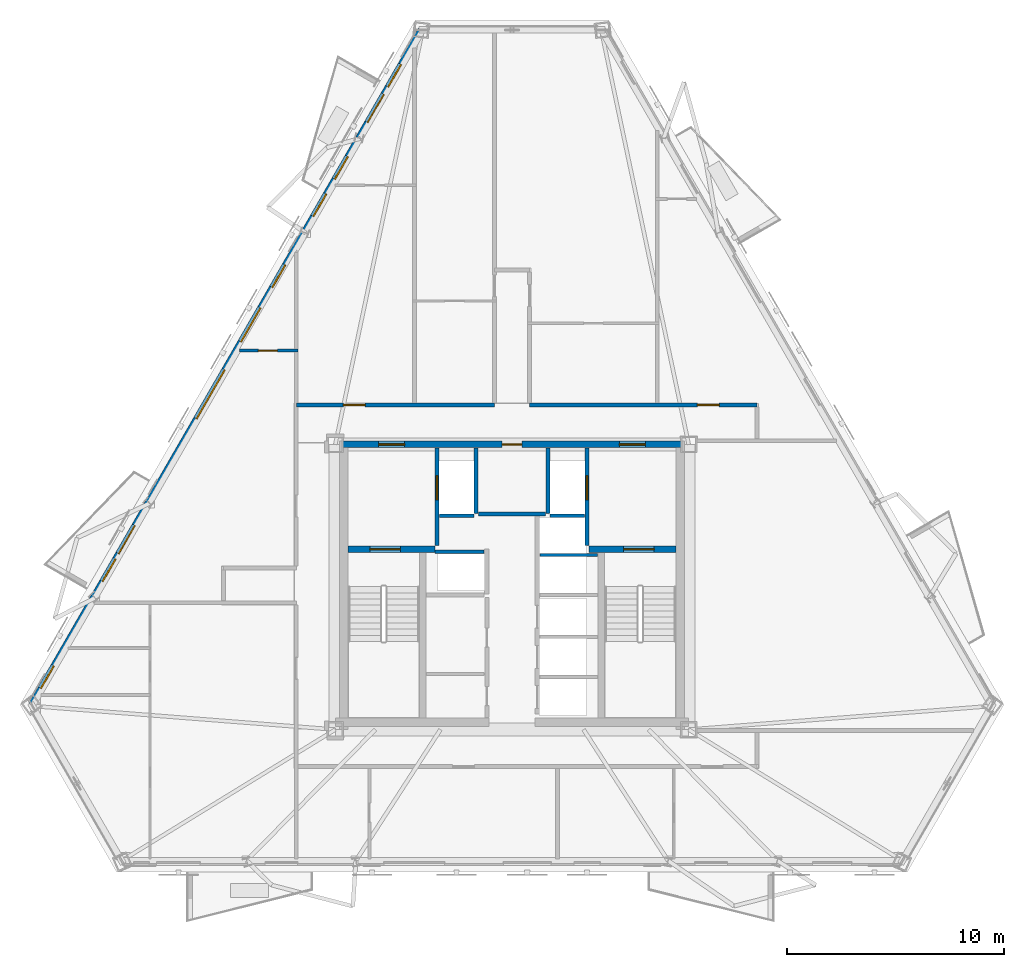
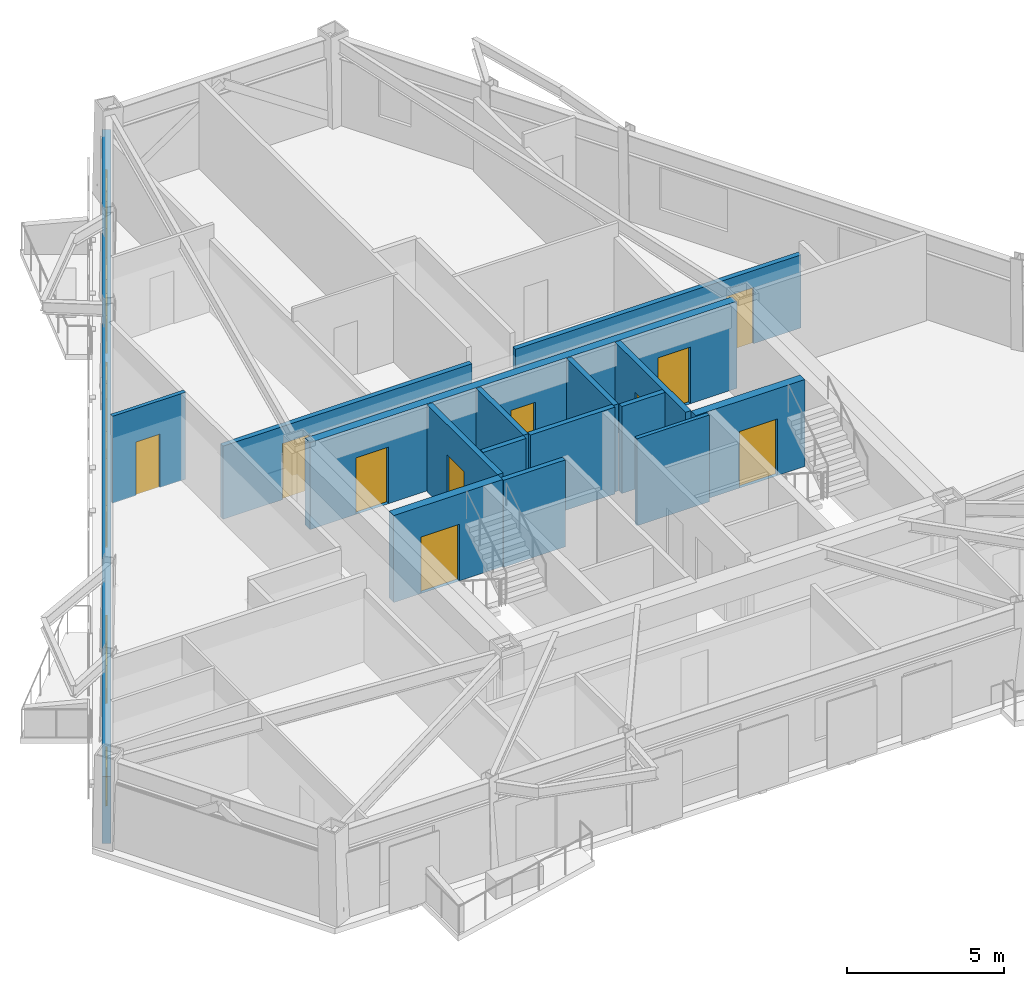
# One storey, part 4 of 9: 16 walls, 12 doors, 8 windows, 20 openings.
"""IFC4 building model written with IfcOpenShell, lengths in metres."""

from ifc_helpers import new_model, si_unit, direction, frame, frame_2d, origin, place, context, subcontext, project, spatial, rectangle, extrude, material, layer, layer_set, type_object, element, fill, save


model = new_model("IFC4")

# Units and contexts
model_context = context("Model", 3, precision=1e-05, world=origin(), true_north=direction((0.0, 1.0)))
body_context = subcontext(model_context, "Body", "Model", "MODEL_VIEW")
ifc_project = project(units=[si_unit("LENGTHUNIT", "METRE"), si_unit("AREAUNIT", "SQUARE_METRE"), si_unit("VOLUMEUNIT", "CUBIC_METRE"), si_unit("PLANEANGLEUNIT", "RADIAN"), si_unit("MASSUNIT", "GRAM", prefix="KILO")], contexts=[model_context])

# Site, building, storey
site_placement = place(None, origin())
site = spatial("IfcSite", under=ifc_project, at=site_placement, CompositionType="ELEMENT")
building_placement = place(site_placement, origin())
building = spatial("IfcBuilding", under=site, at=building_placement, Name="Oramaril Tower", CompositionType="ELEMENT")
storey_placement = place(building_placement, frame((0.0, 0.0, 174.60009765625)))
storey = spatial("IfcBuildingStorey", under=building, at=storey_placement, Name="L46", CompositionType="ELEMENT", Elevation=174.60009765625)

# Wall, openings, doors, windows
ifc_material_1 = material(Name="Warm Cream Limestone", Category="masonry")
ifc_layer_1 = layer(ifc_material_1, 0.2900390625)
ifc_layer_set_1 = layer_set([ifc_layer_1], Name="WT-EXT29")
wall_type_1 = type_object("IfcWallType", Name="WT-EXT29", PredefinedType="SOLIDWALL", material=ifc_layer_set_1)
wall_1_placement = place(storey_placement, frame((33.304931640625, 43.26611328125, 0.0), z_axis=(0.0, 0.0, 1.0), x_axis=(-0.499997724503, -0.866026717539, 0.0)))
wall_1 = element("IfcWall", 1, at=wall_1_placement, inside=storey, type_object=wall_type_1, Name="L46 Tower Limestone Facade Wall 6M", PredefinedType="SOLIDWALL", context=body_context, shape_type="SweptSolid", body=[
    extrude(rectangle(XDim=35.929931640625, YDim=0.2900390625, at=frame_2d((17.96484375, 0.0))), origin(), (0.0, 0.0, 1.0), 2.599853515625),
])
opening_1_placement = place(wall_1_placement, frame((3.429443359375, 0.0, 0.0)))
opening_1 = element("IfcOpeningElement", 2, at=opening_1_placement, cuts=wall_1, Name="Opening D-L46-BAL-NW1", PredefinedType="OPENING", context=body_context, shape_type="SweptSolid", body=[
    extrude(rectangle(XDim=1.5, YDim=2.199951171875, at=frame_2d((0.75, 1.10009765625))), frame((0.0, 0.14501953125, 0.0), z_axis=(0.0, -1.0, 0.0), x_axis=(1.0, 0.0, 0.0)), (0.0, 0.0, 1.0), 0.2900390625),
])
opening_2_placement = place(wall_1_placement, frame((26.395263671875, 0.0, 0.0)))
opening_2 = element("IfcOpeningElement", 3, at=opening_2_placement, cuts=wall_1, Name="Opening D-L46-BAL-NW2", PredefinedType="OPENING", context=body_context, shape_type="SweptSolid", body=[
    extrude(rectangle(XDim=1.5, YDim=2.199951171875, at=frame_2d((0.75, 1.10009765625))), frame((0.0, 0.14501953125, 0.0), z_axis=(0.0, -1.0, 0.0), x_axis=(1.0, 0.0, 0.0)), (0.0, 0.0, 1.0), 0.2900390625),
])
opening_3_placement = place(wall_1_placement, frame((33.87109375, 0.0, 0.85009765625)))
opening_3 = element("IfcOpeningElement", 4, at=opening_3_placement, cuts=wall_1, Name="Opening WN-09", PredefinedType="OPENING", context=body_context, shape_type="SweptSolid", body=[
    extrude(rectangle(XDim=1.199951171875, YDim=1.47998046875, at=frame_2d((0.60009765625, 0.739990234375))), frame((0.0, 0.14501953125, 0.0), z_axis=(0.0, -1.0, 0.0), x_axis=(1.0, 0.0, 0.0)), (0.0, 0.0, 1.0), 0.2900390625),
])
opening_4_placement = place(wall_1_placement, frame((18.11083984375, 0.0, 0.85009765625)))
opening_4 = element("IfcOpeningElement", 5, at=opening_4_placement, cuts=wall_1, Name="Opening WN-02", PredefinedType="OPENING", context=body_context, shape_type="SweptSolid", body=[
    extrude(rectangle(XDim=2.60009765625, YDim=1.639892578125, at=frame_2d((1.300048828125, 0.81982421875))), frame((0.0, 0.14501953125, 0.0), z_axis=(0.0, -1.0, 0.0), x_axis=(1.0, 0.0, 0.0)), (0.0, 0.0, 1.0), 0.2900390625),
])
opening_5_placement = place(wall_1_placement, frame((28.175537109375, 0.0, 0.85009765625)))
opening_5 = element("IfcOpeningElement", 6, at=opening_5_placement, cuts=wall_1, Name="Opening WN-09", PredefinedType="OPENING", context=body_context, shape_type="SweptSolid", body=[
    extrude(rectangle(XDim=1.199951171875, YDim=1.47998046875, at=frame_2d((0.60009765625, 0.739990234375))), frame((0.0, 0.14501953125, 0.0), z_axis=(0.0, -1.0, 0.0), x_axis=(1.0, 0.0, 0.0)), (0.0, 0.0, 1.0), 0.2900390625),
])
opening_6_placement = place(wall_1_placement, frame((12.518798828125, 0.0, 0.85009765625)))
opening_6 = element("IfcOpeningElement", 7, at=opening_6_placement, cuts=wall_1, Name="Opening WN-09", PredefinedType="OPENING", context=body_context, shape_type="SweptSolid", body=[
    extrude(rectangle(XDim=1.199951171875, YDim=1.47998046875, at=frame_2d((0.60009765625, 0.739990234375))), frame((0.0, 0.14501953125, 0.0), z_axis=(0.0, -1.0, 0.0), x_axis=(1.0, 0.0, 0.0)), (0.0, 0.0, 1.0), 0.2900390625),
])
opening_7_placement = place(wall_1_placement, frame((14.8076171875, 0.0, 0.85009765625)))
opening_7 = element("IfcOpeningElement", 8, at=opening_7_placement, cuts=wall_1, Name="Opening WN-06", PredefinedType="OPENING", context=body_context, shape_type="SweptSolid", body=[
    extrude(rectangle(XDim=1.800048828125, YDim=1.639892578125, at=frame_2d((0.89990234375, 0.81982421875))), frame((0.0, 0.14501953125, 0.0), z_axis=(0.0, -1.0, 0.0), x_axis=(1.0, 0.0, 0.0)), (0.0, 0.0, 1.0), 0.2900390625),
])
opening_8_placement = place(wall_1_placement, frame((8.7353515625, 0.0, 0.85009765625)))
opening_8 = element("IfcOpeningElement", 9, at=opening_8_placement, cuts=wall_1, Name="Opening WN-09", PredefinedType="OPENING", context=body_context, shape_type="SweptSolid", body=[
    extrude(rectangle(XDim=1.199951171875, YDim=1.47998046875, at=frame_2d((0.60009765625, 0.739990234375))), frame((0.0, 0.14501953125, 0.0), z_axis=(0.0, -1.0, 0.0), x_axis=(1.0, 0.0, 0.0)), (0.0, 0.0, 1.0), 0.2900390625),
])
opening_9_placement = place(wall_1_placement, frame((6.74853515625, 0.0, 0.85009765625)))
opening_9 = element("IfcOpeningElement", 10, at=opening_9_placement, cuts=wall_1, Name="Opening WN-09", PredefinedType="OPENING", context=body_context, shape_type="SweptSolid", body=[
    extrude(rectangle(XDim=1.199951171875, YDim=1.47998046875, at=frame_2d((0.60009765625, 0.739990234375))), frame((0.0, 0.14501953125, 0.0), z_axis=(0.0, -1.0, 0.0), x_axis=(1.0, 0.0, 0.0)), (0.0, 0.0, 1.0), 0.2900390625),
])
opening_10_placement = place(wall_1_placement, frame((1.837158203125, 0.0, 0.85009765625)))
opening_10 = element("IfcOpeningElement", 11, at=opening_10_placement, cuts=wall_1, Name="Opening WN-09", PredefinedType="OPENING", context=body_context, shape_type="SweptSolid", body=[
    extrude(rectangle(XDim=1.199951171875, YDim=1.47998046875, at=frame_2d((0.60009765625, 0.739990234375))), frame((0.0, 0.14501953125, 0.0), z_axis=(0.0, -1.0, 0.0), x_axis=(1.0, 0.0, 0.0)), (0.0, 0.0, 1.0), 0.2900390625),
])
ifc_material_2 = material(Name="Anodised Aluminium 6063-T6", Category="aluminium")
door_type_1 = type_object("IfcDoorType", Name="DT-BAL", OperationType="NOTDEFINED", PredefinedType="DOOR", material=ifc_material_2)
door_1_placement = place(opening_1_placement, origin())
door_1 = element("IfcDoor", 12, at=door_1_placement, inside=storey, type_object=door_type_1, Name="L46 Balcony Glazed Door L46-BAL-NW1", OperationType="SINGLE_SWING_LEFT", OverallHeight=2.199951171875, OverallWidth=1.5, PredefinedType="DOOR", context=body_context, shape_type="SweptSolid", body=[
    extrude(rectangle(XDim=1.5, YDim=2.199951171875, at=frame_2d((0.75, 1.10009765625))), frame((0.0, 0.02490234375, 0.0), z_axis=(0.0, -1.0, 0.0), x_axis=(1.0, 0.0, 0.0)), (0.0, 0.0, 1.0), 0.050048828125),
])
fill(opening_1, door_1)
door_2_placement = place(opening_2_placement, origin())
door_2 = element("IfcDoor", 13, at=door_2_placement, inside=storey, type_object=door_type_1, Name="L46 Balcony Glazed Door L46-BAL-NW2", OperationType="SINGLE_SWING_RIGHT", OverallHeight=2.199951171875, OverallWidth=1.5, PredefinedType="DOOR", context=body_context, shape_type="SweptSolid", body=[
    extrude(rectangle(XDim=1.5, YDim=2.199951171875, at=frame_2d((0.75, 1.10009765625))), frame((0.0, 0.02490234375, 0.0), z_axis=(0.0, -1.0, 0.0), x_axis=(1.0, 0.0, 0.0)), (0.0, 0.0, 1.0), 0.050048828125),
])
fill(opening_2, door_2)
ifc_material_3 = material(Name="Coastal Low-E Insulated Glass", Category="glass")
window_type_1 = type_object("IfcWindowType", Name="WNT-02", PartitioningType="SINGLE_PANEL", PredefinedType="WINDOW", material=ifc_material_3)
window_1_placement = place(opening_4_placement, origin())
window_1 = element("IfcWindow", 14, at=window_1_placement, inside=storey, type_object=window_type_1, Name="L46 Chicago Bay Window WN-02", OverallHeight=1.639892578125, OverallWidth=2.60009765625, PartitioningType="SINGLE_PANEL", PredefinedType="WINDOW", context=body_context, shape_type="SweptSolid", body=[
    extrude(rectangle(XDim=2.60009765625, YDim=1.639892578125, at=frame_2d((1.300048828125, 0.81982421875))), frame((0.0, 0.030029296875, 0.0), z_axis=(0.0, -1.0, 0.0), x_axis=(1.0, 0.0, 0.0)), (0.0, 0.0, 1.0), 0.06005859375),
])
fill(opening_4, window_1)
ifc_material_4 = material(Name="Coastal Low-E Insulated Glass", Category="glass")
window_type_2 = type_object("IfcWindowType", Name="WNT-06", PartitioningType="SINGLE_PANEL", PredefinedType="WINDOW", material=ifc_material_4)
window_2_placement = place(opening_7_placement, origin())
window_2 = element("IfcWindow", 15, at=window_2_placement, inside=storey, type_object=window_type_2, Name="L46 Chicago Bay Window WN-06", OverallHeight=1.639892578125, OverallWidth=1.800048828125, PartitioningType="SINGLE_PANEL", PredefinedType="WINDOW", context=body_context, shape_type="SweptSolid", body=[
    extrude(rectangle(XDim=1.800048828125, YDim=1.639892578125, at=frame_2d((0.89990234375, 0.81982421875))), frame((0.0, 0.030029296875, 0.0), z_axis=(0.0, -1.0, 0.0), x_axis=(1.0, 0.0, 0.0)), (0.0, 0.0, 1.0), 0.06005859375),
])
fill(opening_7, window_2)
ifc_material_5 = material(Name="Coastal Low-E Insulated Glass", Category="glass")
window_type_3 = type_object("IfcWindowType", Name="WNT-09", PartitioningType="SINGLE_PANEL", PredefinedType="WINDOW", material=ifc_material_5)
window_3_placement = place(opening_3_placement, origin())
window_3 = element("IfcWindow", 16, at=window_3_placement, inside=storey, type_object=window_type_3, Name="L46 Chicago Bay Window WN-09", OverallHeight=1.47998046875, OverallWidth=1.199951171875, PartitioningType="SINGLE_PANEL", PredefinedType="WINDOW", context=body_context, shape_type="SweptSolid", body=[
    extrude(rectangle(XDim=1.199951171875, YDim=1.47998046875, at=frame_2d((0.60009765625, 0.739990234375))), frame((0.0, 0.030029296875, 0.0), z_axis=(0.0, -1.0, 0.0), x_axis=(1.0, 0.0, 0.0)), (0.0, 0.0, 1.0), 0.06005859375),
])
fill(opening_3, window_3)
window_4_placement = place(opening_5_placement, origin())
window_4 = element("IfcWindow", 17, at=window_4_placement, inside=storey, type_object=window_type_3, Name="L46 Chicago Bay Window WN-09", OverallHeight=1.47998046875, OverallWidth=1.199951171875, PartitioningType="SINGLE_PANEL", PredefinedType="WINDOW", context=body_context, shape_type="SweptSolid", body=[
    extrude(rectangle(XDim=1.199951171875, YDim=1.47998046875, at=frame_2d((0.60009765625, 0.739990234375))), frame((0.0, 0.030029296875, 0.0), z_axis=(0.0, -1.0, 0.0), x_axis=(1.0, 0.0, 0.0)), (0.0, 0.0, 1.0), 0.06005859375),
])
fill(opening_5, window_4)
window_5_placement = place(opening_6_placement, origin())
window_5 = element("IfcWindow", 18, at=window_5_placement, inside=storey, type_object=window_type_3, Name="L46 Chicago Bay Window WN-09", OverallHeight=1.47998046875, OverallWidth=1.199951171875, PartitioningType="SINGLE_PANEL", PredefinedType="WINDOW", context=body_context, shape_type="SweptSolid", body=[
    extrude(rectangle(XDim=1.199951171875, YDim=1.47998046875, at=frame_2d((0.60009765625, 0.739990234375))), frame((0.0, 0.030029296875, 0.0), z_axis=(0.0, -1.0, 0.0), x_axis=(1.0, 0.0, 0.0)), (0.0, 0.0, 1.0), 0.06005859375),
])
fill(opening_6, window_5)
window_6_placement = place(opening_8_placement, origin())
window_6 = element("IfcWindow", 19, at=window_6_placement, inside=storey, type_object=window_type_3, Name="L46 Chicago Bay Window WN-09", OverallHeight=1.47998046875, OverallWidth=1.199951171875, PartitioningType="SINGLE_PANEL", PredefinedType="WINDOW", context=body_context, shape_type="SweptSolid", body=[
    extrude(rectangle(XDim=1.199951171875, YDim=1.47998046875, at=frame_2d((0.60009765625, 0.739990234375))), frame((0.0, 0.030029296875, 0.0), z_axis=(0.0, -1.0, 0.0), x_axis=(1.0, 0.0, 0.0)), (0.0, 0.0, 1.0), 0.06005859375),
])
fill(opening_8, window_6)
window_7_placement = place(opening_9_placement, origin())
window_7 = element("IfcWindow", 20, at=window_7_placement, inside=storey, type_object=window_type_3, Name="L46 Chicago Bay Window WN-09", OverallHeight=1.47998046875, OverallWidth=1.199951171875, PartitioningType="SINGLE_PANEL", PredefinedType="WINDOW", context=body_context, shape_type="SweptSolid", body=[
    extrude(rectangle(XDim=1.199951171875, YDim=1.47998046875, at=frame_2d((0.60009765625, 0.739990234375))), frame((0.0, 0.030029296875, 0.0), z_axis=(0.0, -1.0, 0.0), x_axis=(1.0, 0.0, 0.0)), (0.0, 0.0, 1.0), 0.06005859375),
])
fill(opening_9, window_7)
window_8_placement = place(opening_10_placement, origin())
window_8 = element("IfcWindow", 21, at=window_8_placement, inside=storey, type_object=window_type_3, Name="L46 Chicago Bay Window WN-09", OverallHeight=1.47998046875, OverallWidth=1.199951171875, PartitioningType="SINGLE_PANEL", PredefinedType="WINDOW", context=body_context, shape_type="SweptSolid", body=[
    extrude(rectangle(XDim=1.199951171875, YDim=1.47998046875, at=frame_2d((0.60009765625, 0.739990234375))), frame((0.0, 0.030029296875, 0.0), z_axis=(0.0, -1.0, 0.0), x_axis=(1.0, 0.0, 0.0)), (0.0, 0.0, 1.0), 0.06005859375),
])
fill(opening_10, window_8)

# Wall
ifc_material_6 = material(Name="Acoustic Gypsum Board Partition")
ifc_layer_2 = layer(ifc_material_6, 0.139892578125)
ifc_layer_set_2 = layer_set([ifc_layer_2], Name="WT-PT14")
wall_type_2 = type_object("IfcWallType", Name="WT-PT14", PredefinedType="PARTITIONING", material=ifc_layer_set_2)
wall_2_placement = place(storey_placement, frame((38.780029296875, 19.050048828125, 0.0), z_axis=(0.0, 0.0, 1.0), x_axis=(1.0, 0.0, 0.0)))
element("IfcWall", 22, at=wall_2_placement, inside=storey, type_object=wall_type_2, Name="L46 East Lift Divider", PredefinedType="PARTITIONING", context=body_context, shape_type="SweptSolid", body=[
    extrude(rectangle(XDim=2.659912109375, YDim=0.139892578125, at=frame_2d((1.330078125, 0.0))), origin(), (0.0, 0.0, 1.0), 3.3798828125),
])

# Wall, opening, door
wall_3_placement = place(storey_placement, frame((24.9404296875, 28.47998046875, 0.0), z_axis=(0.0, 0.0, 1.0), x_axis=(1.0, 0.0, 0.0)))
wall_3 = element("IfcWall", 23, at=wall_3_placement, inside=storey, type_object=wall_type_2, Name="L46 Interior Partition PT-14", PredefinedType="PARTITIONING", context=body_context, shape_type="SweptSolid", body=[
    extrude(rectangle(XDim=2.691650390625, YDim=0.139892578125, at=frame_2d((1.345703125, 0.0))), origin(), (0.0, 0.0, 1.0), 3.3798828125),
])
opening_11_placement = place(wall_3_placement, frame((0.86376953125, 0.0, 0.0)))
opening_11 = element("IfcOpeningElement", 24, at=opening_11_placement, cuts=wall_3, Name="Opening D-L46-05", PredefinedType="OPENING", context=body_context, shape_type="SweptSolid", body=[
    extrude(rectangle(XDim=0.8798828125, YDim=2.080078125, at=frame_2d((0.43994140625, 1.0400390625))), frame((0.0, 0.06982421875, 0.0), z_axis=(0.0, -1.0, 0.0), x_axis=(1.0, 0.0, 0.0)), (0.0, 0.0, 1.0), 0.139892578125),
])
ifc_material_7 = material(Name="FSC Brazilian Freijo Hardwood", Category="wood")
door_type_2 = type_object("IfcDoorType", Name="DT-BATH", OperationType="NOTDEFINED", PredefinedType="DOOR", material=ifc_material_7)
door_3_placement = place(opening_11_placement, origin())
door_3 = element("IfcDoor", 25, at=door_3_placement, inside=storey, type_object=door_type_2, Name="L46 Flat L46-U4 Bathroom Door D-L46-05", OperationType="SINGLE_SWING_RIGHT", OverallHeight=2.080078125, OverallWidth=0.8798828125, PredefinedType="DOOR", context=body_context, shape_type="SweptSolid", body=[
    extrude(rectangle(XDim=0.8798828125, YDim=2.080078125, at=frame_2d((0.43994140625, 1.0400390625))), frame((0.0, 0.02490234375, 0.0), z_axis=(0.0, -1.0, 0.0), x_axis=(1.0, 0.0, 0.0)), (0.0, 0.0, 1.0), 0.050048828125),
])
fill(opening_11, door_3)

# Walls
ifc_material_8 = material(Name="Autoclaved Cellular Concrete Block", Category="concrete")
ifc_layer_3 = layer(ifc_material_8, 0.179931640625)
ifc_layer_set_3 = layer_set([ifc_layer_3], Name="WT-PT18")
wall_type_3 = type_object("IfcWallType", Name="WT-PT18", PredefinedType="PARTITIONING", material=ifc_layer_set_3)
wall_4_placement = place(storey_placement, frame((35.840087890625, 20.9599609375, 0.0), z_axis=(0.0, 0.0, 1.0), x_axis=(0.0, 1.0, 0.0)))
element("IfcWall", 26, at=wall_4_placement, inside=storey, type_object=wall_type_3, Name="L46 FL-1 East Shaft Wall", PredefinedType="PARTITIONING", context=body_context, shape_type="SweptSolid", body=[
    extrude(rectangle(XDim=3.02001953125, YDim=0.179931640625, at=frame_2d((1.510009765625, 0.0))), origin(), (0.0, 0.0, 1.0), 3.3798828125),
])
wall_5_placement = place(storey_placement, frame((34.159912109375, 20.860107421875, 0.0), z_axis=(0.0, 0.0, 1.0), x_axis=(1.0, 0.0, 0.0)))
element("IfcWall", 27, at=wall_5_placement, inside=storey, type_object=wall_type_3, Name="L46 FL-1 South Shaft Wall", PredefinedType="PARTITIONING", context=body_context, shape_type="SweptSolid", body=[
    extrude(rectangle(XDim=1.580078125, YDim=0.179931640625, at=frame_2d((0.7900390625, 0.0))), origin(), (0.0, 0.0, 1.0), 3.3798828125),
])
wall_6_placement = place(storey_placement, frame((39.159912109375, 20.9599609375, 0.0), z_axis=(0.0, 0.0, 1.0), x_axis=(0.0, 1.0, 0.0)))
element("IfcWall", 28, at=wall_6_placement, inside=storey, type_object=wall_type_3, Name="L46 FL-2 West Shaft Wall", PredefinedType="PARTITIONING", context=body_context, shape_type="SweptSolid", body=[
    extrude(rectangle(XDim=3.02001953125, YDim=0.179931640625, at=frame_2d((1.510009765625, 0.0))), origin(), (0.0, 0.0, 1.0), 3.3798828125),
])
wall_7_placement = place(storey_placement, frame((39.260009765625, 20.860107421875, 0.0), z_axis=(0.0, 0.0, 1.0), x_axis=(1.0, 0.0, 0.0)))
element("IfcWall", 29, at=wall_7_placement, inside=storey, type_object=wall_type_3, Name="L46 FL-2 South Shaft Wall", PredefinedType="PARTITIONING", context=body_context, shape_type="SweptSolid", body=[
    extrude(rectangle(XDim=1.580078125, YDim=0.179931640625, at=frame_2d((0.7900390625, 0.0))), origin(), (0.0, 0.0, 1.0), 3.3798828125),
])
wall_8_placement = place(storey_placement, frame((33.949951171875, 19.199951171875, 0.0), z_axis=(0.0, 0.0, 1.0), x_axis=(1.0, 0.0, 0.0)))
element("IfcWall", 30, at=wall_8_placement, inside=storey, type_object=wall_type_3, Name="L46 High-Rise Lift H1 North Shaft Wall", PredefinedType="PARTITIONING", context=body_context, shape_type="SweptSolid", body=[
    extrude(rectangle(XDim=2.27001953125, YDim=0.179931640625, at=frame_2d((1.135009765625, 0.0))), origin(), (0.0, 0.0, 1.0), 3.3798828125),
])
wall_9_placement = place(storey_placement, frame((35.949951171875, 20.949951171875, 0.0), z_axis=(0.0, 0.0, 1.0), x_axis=(1.0, 0.0, 0.0)))
element("IfcWall", 31, at=wall_9_placement, inside=storey, type_object=wall_type_3, Name="L46 Lift Lobby North Partition", PredefinedType="PARTITIONING", context=body_context, shape_type="SweptSolid", body=[
    extrude(rectangle(XDim=3.10009765625, YDim=0.179931640625, at=frame_2d((1.550048828125, 0.0))), origin(), (0.0, 0.0, 1.0), 3.3798828125),
])

# Wall, opening, door
wall_10_placement = place(storey_placement, frame((27.550048828125, 25.969970703125, 0.0), z_axis=(0.0, 0.0, 1.0), x_axis=(1.0, 0.0, 0.0)))
wall_10 = element("IfcWall", 32, at=wall_10_placement, inside=storey, type_object=wall_type_3, Name="L46 Interior Partition PT-18", PredefinedType="PARTITIONING", context=body_context, shape_type="SweptSolid", body=[
    extrude(rectangle(XDim=9.14990234375, YDim=0.179931640625, at=frame_2d((4.574951171875, 0.0))), origin(), (0.0, 0.0, 1.0), 2.841796875),
])
opening_12_placement = place(wall_10_placement, frame((2.17333984375, 0.0, 0.0)))
opening_12 = element("IfcOpeningElement", 33, at=opening_12_placement, cuts=wall_10, Name="Opening D-L46-03", PredefinedType="OPENING", context=body_context, shape_type="SweptSolid", body=[
    extrude(rectangle(XDim=1.0, YDim=2.179931640625, at=frame_2d((0.5, 1.08984375))), frame((0.0, 0.08984375, 0.0), z_axis=(0.0, -1.0, 0.0), x_axis=(1.0, 0.0, 0.0)), (0.0, 0.0, 1.0), 0.179931640625),
])
ifc_material_9 = material(Name="FSC Brazilian Freijo Hardwood", Category="wood")
door_type_3 = type_object("IfcDoorType", Name="DT-APT", OperationType="NOTDEFINED", PredefinedType="DOOR", material=ifc_material_9)
door_4_placement = place(opening_12_placement, origin())
door_4 = element("IfcDoor", 34, at=door_4_placement, inside=storey, type_object=door_type_3, Name="L46 Flat L46-U6 Kitchen and Studio Apartment Door D-L46-03", OperationType="SINGLE_SWING_RIGHT", OverallHeight=2.179931640625, OverallWidth=1.0, PredefinedType="DOOR", context=body_context, shape_type="SweptSolid", body=[
    extrude(rectangle(XDim=1.0, YDim=2.179931640625, at=frame_2d((0.5, 1.08984375))), frame((0.0, 0.02490234375, 0.0), z_axis=(0.0, -1.0, 0.0), x_axis=(1.0, 0.0, 0.0)), (0.0, 0.0, 1.0), 0.050048828125),
])
fill(opening_12, door_4)

wall_11_placement = place(storey_placement, frame((38.300048828125, 25.969970703125, 0.0), z_axis=(0.0, 0.0, 1.0), x_axis=(1.0, 0.0, 0.0)))
wall_11 = element("IfcWall", 35, at=wall_11_placement, inside=storey, type_object=wall_type_3, Name="L46 Interior Partition PT-18", PredefinedType="PARTITIONING", context=body_context, shape_type="SweptSolid", body=[
    extrude(rectangle(XDim=10.5, YDim=0.179931640625, at=frame_2d((5.25, 0.0))), origin(), (0.0, 0.0, 1.0), 2.841796875),
])
opening_13_placement = place(wall_11_placement, frame((7.752197265625, 0.0, 0.0)))
opening_13 = element("IfcOpeningElement", 36, at=opening_13_placement, cuts=wall_11, Name="Opening D-L46-04", PredefinedType="OPENING", context=body_context, shape_type="SweptSolid", body=[
    extrude(rectangle(XDim=1.0, YDim=2.179931640625, at=frame_2d((0.5, 1.08984375))), frame((0.0, 0.08984375, 0.0), z_axis=(0.0, -1.0, 0.0), x_axis=(1.0, 0.0, 0.0)), (0.0, 0.0, 1.0), 0.179931640625),
])
door_5_placement = place(opening_13_placement, origin())
door_5 = element("IfcDoor", 37, at=door_5_placement, inside=storey, type_object=door_type_3, Name="L46 Flat L46-U9 Kitchen and Studio Apartment Door D-L46-04", OperationType="SINGLE_SWING_LEFT", OverallHeight=2.179931640625, OverallWidth=1.0, PredefinedType="DOOR", context=body_context, shape_type="SweptSolid", body=[
    extrude(rectangle(XDim=1.0, YDim=2.179931640625, at=frame_2d((0.5, 1.08984375))), frame((0.0, 0.02490234375, 0.0), z_axis=(0.0, -1.0, 0.0), x_axis=(1.0, 0.0, 0.0)), (0.0, 0.0, 1.0), 0.050048828125),
])
fill(opening_13, door_5)

# Wall, openings, doors
ifc_material_10 = material(Name="Concrete C50/60", Category="concrete")
ifc_layer_4 = layer(ifc_material_10, 0.300048828125)
ifc_layer_set_4 = layer_set([ifc_layer_4], Name="WT-SH30")
wall_type_4 = type_object("IfcWallType", Name="WT-SH30", PredefinedType="SHEAR", material=ifc_layer_set_4)
wall_12_placement = place(storey_placement, frame((29.64990234375, 24.14990234375, 0.0), z_axis=(0.0, 0.0, 1.0), x_axis=(1.0, 0.0, 0.0)))
wall_12 = element("IfcWall", 38, at=wall_12_placement, inside=storey, type_object=wall_type_4, Name="L46 Core Shear Wall CW-N", PredefinedType="SHEAR", context=body_context, shape_type="SweptSolid", body=[
    extrude(rectangle(XDim=15.7001953125, YDim=0.300048828125, at=frame_2d((7.85009765625, 0.0))), origin(), (0.0, 0.0, 1.0), 3.3798828125),
])
opening_14_placement = place(wall_12_placement, frame((1.699951171875, 0.0, 0.0)))
opening_14 = element("IfcOpeningElement", 39, at=opening_14_placement, cuts=wall_12, Name="Opening D-L46-FFL1", PredefinedType="OPENING", context=body_context, shape_type="SweptSolid", body=[
    extrude(rectangle(XDim=1.199951171875, YDim=2.199951171875, at=frame_2d((0.60009765625, 1.10009765625))), frame((0.0, 0.14990234375, 0.0), z_axis=(0.0, -1.0, 0.0), x_axis=(1.0, 0.0, 0.0)), (0.0, 0.0, 1.0), 0.300048828125),
])
opening_15_placement = place(wall_12_placement, frame((12.800048828125, 0.0, 0.0)))
opening_15 = element("IfcOpeningElement", 40, at=opening_15_placement, cuts=wall_12, Name="Opening D-L46-FFL2", PredefinedType="OPENING", context=body_context, shape_type="SweptSolid", body=[
    extrude(rectangle(XDim=1.199951171875, YDim=2.199951171875, at=frame_2d((0.60009765625, 1.10009765625))), frame((0.0, 0.14990234375, 0.0), z_axis=(0.0, -1.0, 0.0), x_axis=(1.0, 0.0, 0.0)), (0.0, 0.0, 1.0), 0.300048828125),
])
opening_16_placement = place(wall_12_placement, frame((7.39990234375, 0.0, 0.0)))
opening_16 = element("IfcOpeningElement", 41, at=opening_16_placement, cuts=wall_12, Name="Opening D-L46-SV1", PredefinedType="OPENING", context=body_context, shape_type="SweptSolid", body=[
    extrude(rectangle(XDim=0.89990234375, YDim=2.050048828125, at=frame_2d((0.449951171875, 1.02490234375))), frame((0.0, 0.14990234375, 0.0), z_axis=(0.0, -1.0, 0.0), x_axis=(1.0, 0.0, 0.0)), (0.0, 0.0, 1.0), 0.300048828125),
])
ifc_material_11 = material(Name="Painted Galvanised Steel", Category="steel")
door_type_4 = type_object("IfcDoorType", Name="DT-FFL", OperationType="NOTDEFINED", PredefinedType="DOOR", material=ifc_material_11)
door_6_placement = place(opening_14_placement, origin())
door_6 = element("IfcDoor", 42, at=door_6_placement, inside=storey, type_object=door_type_4, Name="L46 Firefighting Lobby 1 Fire Door", OperationType="SINGLE_SWING_LEFT", OverallHeight=2.199951171875, OverallWidth=1.199951171875, PredefinedType="DOOR", context=body_context, shape_type="SweptSolid", body=[
    extrude(rectangle(XDim=1.199951171875, YDim=2.199951171875, at=frame_2d((0.60009765625, 1.10009765625))), frame((0.0, 0.02490234375, 0.0), z_axis=(0.0, -1.0, 0.0), x_axis=(1.0, 0.0, 0.0)), (0.0, 0.0, 1.0), 0.050048828125),
])
fill(opening_14, door_6)
door_7_placement = place(opening_15_placement, origin())
door_7 = element("IfcDoor", 43, at=door_7_placement, inside=storey, type_object=door_type_4, Name="L46 Firefighting Lobby 2 Fire Door", OperationType="SINGLE_SWING_RIGHT", OverallHeight=2.199951171875, OverallWidth=1.199951171875, PredefinedType="DOOR", context=body_context, shape_type="SweptSolid", body=[
    extrude(rectangle(XDim=1.199951171875, YDim=2.199951171875, at=frame_2d((0.60009765625, 1.10009765625))), frame((0.0, 0.02490234375, 0.0), z_axis=(0.0, -1.0, 0.0), x_axis=(1.0, 0.0, 0.0)), (0.0, 0.0, 1.0), 0.050048828125),
])
fill(opening_15, door_7)
ifc_material_12 = material(Name="Painted Galvanised Steel", Category="steel")
door_type_5 = type_object("IfcDoorType", Name="DT-SVC", OperationType="NOTDEFINED", PredefinedType="DOOR", material=ifc_material_12)
door_8_placement = place(opening_16_placement, origin())
door_8 = element("IfcDoor", 44, at=door_8_placement, inside=storey, type_object=door_type_5, Name="L46 Core Janitor Store Door", OperationType="SINGLE_SWING_LEFT", OverallHeight=2.050048828125, OverallWidth=0.89990234375, PredefinedType="DOOR", context=body_context, shape_type="SweptSolid", body=[
    extrude(rectangle(XDim=0.89990234375, YDim=2.050048828125, at=frame_2d((0.449951171875, 1.02490234375))), frame((0.0, 0.02490234375, 0.0), z_axis=(0.0, -1.0, 0.0), x_axis=(1.0, 0.0, 0.0)), (0.0, 0.0, 1.0), 0.050048828125),
])
fill(opening_16, door_8)

# Wall, opening, door
wall_13_placement = place(storey_placement, frame((29.93994140625, 19.31005859375, 0.0), z_axis=(0.0, 0.0, 1.0), x_axis=(1.0, 0.0, 0.0)))
wall_13 = element("IfcWall", 45, at=wall_13_placement, inside=storey, type_object=wall_type_4, Name="L46 Core Shear Wall CW-ST1N", PredefinedType="SHEAR", context=body_context, shape_type="SweptSolid", body=[
    extrude(rectangle(XDim=4.010009765625, YDim=0.300048828125, at=frame_2d((2.0048828125, 0.0))), origin(), (0.0, 0.0, 1.0), 3.3798828125),
])
opening_17_placement = place(wall_13_placement, frame((1.010009765625, 0.0, 0.0)))
opening_17 = element("IfcOpeningElement", 46, at=opening_17_placement, cuts=wall_13, Name="Opening D-L46-ST1", PredefinedType="OPENING", context=body_context, shape_type="SweptSolid", body=[
    extrude(rectangle(XDim=1.39990234375, YDim=2.199951171875, at=frame_2d((0.699951171875, 1.10009765625))), frame((0.0, 0.14990234375, 0.0), z_axis=(0.0, -1.0, 0.0), x_axis=(1.0, 0.0, 0.0)), (0.0, 0.0, 1.0), 0.300048828125),
])
ifc_material_13 = material(Name="Painted Galvanised Steel", Category="steel")
door_type_6 = type_object("IfcDoorType", Name="DT-ST", OperationType="NOTDEFINED", PredefinedType="DOOR", material=ifc_material_13)
door_9_placement = place(opening_17_placement, origin())
door_9 = element("IfcDoor", 47, at=door_9_placement, inside=storey, type_object=door_type_6, Name="L46 Protected Stair ST-1 Fire Door", OperationType="SINGLE_SWING_LEFT", OverallHeight=2.199951171875, OverallWidth=1.39990234375, PredefinedType="DOOR", context=body_context, shape_type="SweptSolid", body=[
    extrude(rectangle(XDim=1.39990234375, YDim=2.199951171875, at=frame_2d((0.699951171875, 1.10009765625))), frame((0.0, 0.02490234375, 0.0), z_axis=(0.0, -1.0, 0.0), x_axis=(1.0, 0.0, 0.0)), (0.0, 0.0, 1.0), 0.050048828125),
])
fill(opening_17, door_9)

wall_14_placement = place(storey_placement, frame((41.050048828125, 19.31005859375, 0.0), z_axis=(0.0, 0.0, 1.0), x_axis=(1.0, 0.0, 0.0)))
wall_14 = element("IfcWall", 48, at=wall_14_placement, inside=storey, type_object=wall_type_4, Name="L46 Core Shear Wall CW-ST2N", PredefinedType="SHEAR", context=body_context, shape_type="SweptSolid", body=[
    extrude(rectangle(XDim=4.010009765625, YDim=0.300048828125, at=frame_2d((2.0048828125, 0.0))), origin(), (0.0, 0.0, 1.0), 3.3798828125),
])
opening_18_placement = place(wall_14_placement, frame((1.60009765625, 0.0, 0.0)))
opening_18 = element("IfcOpeningElement", 49, at=opening_18_placement, cuts=wall_14, Name="Opening D-L46-ST2", PredefinedType="OPENING", context=body_context, shape_type="SweptSolid", body=[
    extrude(rectangle(XDim=1.39990234375, YDim=2.199951171875, at=frame_2d((0.699951171875, 1.10009765625))), frame((0.0, 0.14990234375, 0.0), z_axis=(0.0, -1.0, 0.0), x_axis=(1.0, 0.0, 0.0)), (0.0, 0.0, 1.0), 0.300048828125),
])
door_10_placement = place(opening_18_placement, origin())
door_10 = element("IfcDoor", 50, at=door_10_placement, inside=storey, type_object=door_type_6, Name="L46 Protected Stair ST-2 Fire Door", OperationType="SINGLE_SWING_RIGHT", OverallHeight=2.199951171875, OverallWidth=1.39990234375, PredefinedType="DOOR", context=body_context, shape_type="SweptSolid", body=[
    extrude(rectangle(XDim=1.39990234375, YDim=2.199951171875, at=frame_2d((0.699951171875, 1.10009765625))), frame((0.0, 0.02490234375, 0.0), z_axis=(0.0, -1.0, 0.0), x_axis=(1.0, 0.0, 0.0)), (0.0, 0.0, 1.0), 0.050048828125),
])
fill(opening_18, door_10)

ifc_material_14 = material(Name="Autoclaved Cellular Concrete Block", Category="concrete")
ifc_layer_5 = layer(ifc_material_14, 0.199951171875)
ifc_layer_set_5 = layer_set([ifc_layer_5], Name="WT-SHF20")
wall_type_5 = type_object("IfcWallType", Name="WT-SHF20", PredefinedType="PARTITIONING", material=ifc_layer_set_5)
wall_15_placement = place(storey_placement, frame((34.0400390625, 19.47998046875, 0.0), z_axis=(0.0, 0.0, 1.0), x_axis=(0.0, 1.0, 0.0)))
wall_15 = element("IfcWall", 51, at=wall_15_placement, inside=storey, type_object=wall_type_5, Name="L46 FL-1 Lobby Shaft Wall", PredefinedType="PARTITIONING", context=body_context, shape_type="SweptSolid", body=[
    extrude(rectangle(XDim=4.5, YDim=0.199951171875, at=frame_2d((2.25, 0.0))), origin(), (0.0, 0.0, 1.0), 3.3798828125),
])
opening_19_placement = place(wall_15_placement, frame((2.1201171875, 0.0, 0.0)))
opening_19 = element("IfcOpeningElement", 52, at=opening_19_placement, cuts=wall_15, Name="Opening LD-L46-FL-1", PredefinedType="OPENING", context=body_context, shape_type="SweptSolid", body=[
    extrude(rectangle(XDim=1.10009765625, YDim=2.199951171875, at=frame_2d((0.550048828125, 1.10009765625))), frame((0.0, 0.10009765625, 0.0), z_axis=(0.0, -1.0, 0.0), x_axis=(1.0, 0.0, 0.0)), (0.0, 0.0, 1.0), 0.199951171875),
])
ifc_material_15 = material(Name="Stainless Steel 316L", Category="steel")
door_type_7 = type_object("IfcDoorType", Name="DT-LD1", OperationType="NOTDEFINED", PredefinedType="DOOR", material=ifc_material_15)
door_11_placement = place(opening_19_placement, origin())
door_11 = element("IfcDoor", 53, at=door_11_placement, inside=storey, type_object=door_type_7, Name="L46 Lift FL-1 Sliding Landing Door", OperationType="SLIDING_TO_LEFT", OverallHeight=2.199951171875, OverallWidth=1.10009765625, PredefinedType="DOOR", context=body_context, shape_type="SweptSolid", body=[
    extrude(rectangle(XDim=1.10009765625, YDim=2.199951171875, at=frame_2d((0.550048828125, 1.10009765625))), frame((0.0, 0.02490234375, 0.0), z_axis=(0.0, -1.0, 0.0), x_axis=(1.0, 0.0, 0.0)), (0.0, 0.0, 1.0), 0.050048828125),
])
fill(opening_19, door_11)

wall_16_placement = place(storey_placement, frame((40.9599609375, 19.47998046875, 0.0), z_axis=(0.0, 0.0, 1.0), x_axis=(0.0, 1.0, 0.0)))
wall_16 = element("IfcWall", 54, at=wall_16_placement, inside=storey, type_object=wall_type_5, Name="L46 FL-2 Lobby Shaft Wall", PredefinedType="PARTITIONING", context=body_context, shape_type="SweptSolid", body=[
    extrude(rectangle(XDim=4.5, YDim=0.199951171875, at=frame_2d((2.25, 0.0))), origin(), (0.0, 0.0, 1.0), 3.3798828125),
])
opening_20_placement = place(wall_16_placement, frame((2.1201171875, 0.0, 0.0)))
opening_20 = element("IfcOpeningElement", 55, at=opening_20_placement, cuts=wall_16, Name="Opening LD-L46-FL-2", PredefinedType="OPENING", context=body_context, shape_type="SweptSolid", body=[
    extrude(rectangle(XDim=1.10009765625, YDim=2.199951171875, at=frame_2d((0.550048828125, 1.10009765625))), frame((0.0, 0.10009765625, 0.0), z_axis=(0.0, -1.0, 0.0), x_axis=(1.0, 0.0, 0.0)), (0.0, 0.0, 1.0), 0.199951171875),
])
door_12_placement = place(opening_20_placement, origin())
door_12 = element("IfcDoor", 56, at=door_12_placement, inside=storey, type_object=door_type_7, Name="L46 Lift FL-2 Sliding Landing Door", OperationType="SLIDING_TO_RIGHT", OverallHeight=2.199951171875, OverallWidth=1.10009765625, PredefinedType="DOOR", context=body_context, shape_type="SweptSolid", body=[
    extrude(rectangle(XDim=1.10009765625, YDim=2.199951171875, at=frame_2d((0.550048828125, 1.10009765625))), frame((0.0, 0.02490234375, 0.0), z_axis=(0.0, -1.0, 0.0), x_axis=(1.0, 0.0, 0.0)), (0.0, 0.0, 1.0), 0.050048828125),
])
fill(opening_20, door_12)

save(model, "model.ifc")
